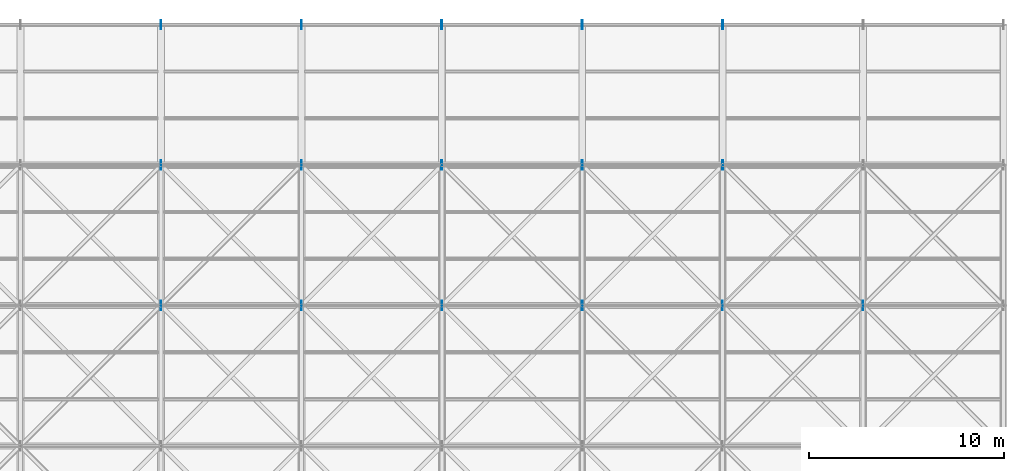
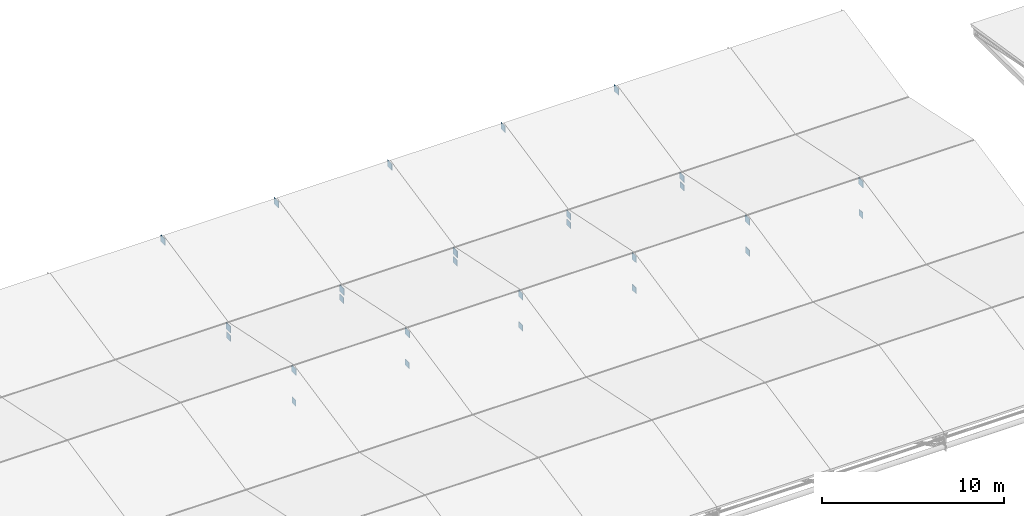
# One storey, part 70 of 72: 27 plates.
"""IFC4 building model written with IfcOpenShell, lengths in metres."""

from ifc_helpers import new_model, si_unit, direction, frame, origin, origin_2d, place, context, subcontext, project, spatial, rectangle, extrude, material, layer, layer_set, type_object, element, save


model = new_model("IFC4")

# Units and contexts
model_context = context("Model", 3, precision=1e-05, world=origin(), true_north=direction((0.0, 1.0)))
body_context = subcontext(model_context, "Body", "Model", "MODEL_VIEW")
ifc_project = project(units=[si_unit("LENGTHUNIT", "METRE"), si_unit("AREAUNIT", "SQUARE_METRE"), si_unit("VOLUMEUNIT", "CUBIC_METRE"), si_unit("PLANEANGLEUNIT", "RADIAN"), si_unit("MASSUNIT", "GRAM", prefix="KILO")], contexts=[model_context])

# Site, building, storey
site_placement = place(None, origin())
site = spatial("IfcSite", under=ifc_project, at=site_placement, CompositionType="ELEMENT")
building_placement = place(site_placement, origin())
building = spatial("IfcBuilding", under=site, at=building_placement, Name="Vaelcorin Mobility Hub", CompositionType="ELEMENT")
storey_placement = place(building_placement, frame((0.0, 0.0, 25.800048828125)))
storey = spatial("IfcBuildingStorey", under=building, at=storey_placement, Name="RF", CompositionType="ELEMENT", Elevation=25.800048828125)

# Plates
ifc_material = material(Name="Steel ASTM A572 Grade 50", Category="steel")
ifc_layer_1 = layer(ifc_material, 0.0380859375)
ifc_layer_set_1 = layer_set([ifc_layer_1], Name="Steel ASTM A572 Grade 50")
plate_type_1 = type_object("IfcPlateType", Name="PL-TN1", PredefinedType="USERDEFINED", material=ifc_layer_set_1)
for number, where, z_axis, x_axis, name in (
    (1, (72.0, 112.800048828125, -1.719970703125), (0.0, 0.0, 1.0), (1.0, 0.0, 0.0), "Sports Roof Truss Node TN1 5-4"),
    (2, (72.0, 120.0, -0.219970703125), (0.0, 0.0, 1.0), (1.0, 0.0, 0.0), "Sports Roof Truss Node TN1 5-5"),
    (3, (79.199951171875, 112.800048828125, -1.719970703125), (0.0, 0.0, 1.0), (1.0, 0.0, 0.0), "Sports Roof Truss Node TN1 6-4"),
    (4, (79.199951171875, 120.0, -0.219970703125), (0.0, 0.0, 1.0), (1.0, 0.0, 0.0), "Sports Roof Truss Node TN1 6-5"),
    (5, (86.39990234375, 112.800048828125, -1.719970703125), (0.0, 0.0, 1.0), (1.0, 0.0, 0.0), "Sports Roof Truss Node TN1 7-4"),
    (6, (86.39990234375, 120.0, -0.219970703125), (0.0, 0.0, 1.0), (1.0, 0.0, 0.0), "Sports Roof Truss Node TN1 7-5"),
    (7, (93.60009765625, 112.800048828125, -1.719970703125), (0.0, 0.0, 1.0), (1.0, 0.0, 0.0), "Sports Roof Truss Node TN1 8-4"),
    (8, (93.60009765625, 120.0, -0.219970703125), (0.0, 0.0, 1.0), (1.0, 0.0, 0.0), "Sports Roof Truss Node TN1 8-5"),
    (9, (100.800048828125, 112.800048828125, -1.719970703125), (0.0, 0.0, 1.0), (1.0, 0.0, 0.0), "Sports Roof Truss Node TN1 9-4"),
    (10, (100.800048828125, 120.0, -0.219970703125), (0.0, 0.0, 1.0), (1.0, 0.0, 0.0), "Sports Roof Truss Node TN1 9-5"),
):
    element("IfcPlate", number, at=place(storey_placement, frame(where, z_axis=z_axis, x_axis=x_axis)), inside=storey, type_object=plate_type_1, Name=name, ObjectType="GUSSET PLATE", PredefinedType="USERDEFINED", context=body_context, shape_type="SweptSolid", body=[
        extrude(rectangle(XDim=0.0380859375, YDim=0.47998046875, at=origin_2d()), origin(), (0.0, 0.0, 1.0), 0.43994140625),
    ])
ifc_layer_2 = layer(ifc_material, 0.030029296875)
ifc_layer_set_2 = layer_set([ifc_layer_2], Name="Steel ASTM A572 Grade 50")
plate_type_2 = type_object("IfcPlateType", Name="PL-TN2", PredefinedType="USERDEFINED", material=ifc_layer_set_2)
plate_1_placement = place(storey_placement, frame((72.0, 105.60009765625, -0.219970703125), z_axis=(0.0, 0.0, 1.0), x_axis=(1.0, 0.0, 0.0)))
element("IfcPlate", 11, at=plate_1_placement, inside=storey, type_object=plate_type_2, Name="Sports Roof Truss Node TN2 5-3", ObjectType="GUSSET PLATE", PredefinedType="USERDEFINED", context=body_context, shape_type="SweptSolid", body=[
    extrude(rectangle(XDim=0.030029296875, YDim=0.47998046875, at=origin_2d()), origin(), (0.0, 0.0, 1.0), 0.43994140625),
])
for number, where, z_axis, x_axis, name in (
    (12, (72.0, 105.60009765625, -2.300048828125), (0.0, 0.0, 1.0), (1.0, 0.0, 0.0), "Sports Roof Truss Bottom Node 5-3"),
    (13, (72.0, 112.800048828125, -2.300048828125), (0.0, 0.0, 1.0), (1.0, 0.0, 0.0), "Sports Roof Truss Bottom Node 5-4"),
):
    element("IfcPlate", number, at=place(storey_placement, frame(where, z_axis=z_axis, x_axis=x_axis)), inside=storey, type_object=plate_type_2, Name=name, ObjectType="GUSSET PLATE", PredefinedType="USERDEFINED", context=body_context, shape_type="SweptSolid", body=[
        extrude(rectangle(XDim=0.030029296875, YDim=0.43994140625, at=origin_2d()), origin(), (0.0, 0.0, 1.0), 0.39990234375),
    ])
plate_2_placement = place(storey_placement, frame((79.199951171875, 105.60009765625, -0.219970703125), z_axis=(0.0, 0.0, 1.0), x_axis=(1.0, 0.0, 0.0)))
element("IfcPlate", 14, at=plate_2_placement, inside=storey, type_object=plate_type_2, Name="Sports Roof Truss Node TN2 6-3", ObjectType="GUSSET PLATE", PredefinedType="USERDEFINED", context=body_context, shape_type="SweptSolid", body=[
    extrude(rectangle(XDim=0.030029296875, YDim=0.47998046875, at=origin_2d()), origin(), (0.0, 0.0, 1.0), 0.43994140625),
])
for number, where, z_axis, x_axis, name in (
    (15, (79.199951171875, 105.60009765625, -2.300048828125), (0.0, 0.0, 1.0), (1.0, 0.0, 0.0), "Sports Roof Truss Bottom Node 6-3"),
    (16, (79.199951171875, 112.800048828125, -2.300048828125), (0.0, 0.0, 1.0), (1.0, 0.0, 0.0), "Sports Roof Truss Bottom Node 6-4"),
):
    element("IfcPlate", number, at=place(storey_placement, frame(where, z_axis=z_axis, x_axis=x_axis)), inside=storey, type_object=plate_type_2, Name=name, ObjectType="GUSSET PLATE", PredefinedType="USERDEFINED", context=body_context, shape_type="SweptSolid", body=[
        extrude(rectangle(XDim=0.030029296875, YDim=0.43994140625, at=origin_2d()), origin(), (0.0, 0.0, 1.0), 0.39990234375),
    ])
plate_3_placement = place(storey_placement, frame((86.39990234375, 105.60009765625, -0.219970703125), z_axis=(0.0, 0.0, 1.0), x_axis=(1.0, 0.0, 0.0)))
element("IfcPlate", 17, at=plate_3_placement, inside=storey, type_object=plate_type_2, Name="Sports Roof Truss Node TN2 7-3", ObjectType="GUSSET PLATE", PredefinedType="USERDEFINED", context=body_context, shape_type="SweptSolid", body=[
    extrude(rectangle(XDim=0.030029296875, YDim=0.47998046875, at=origin_2d()), origin(), (0.0, 0.0, 1.0), 0.43994140625),
])
for number, where, z_axis, x_axis, name in (
    (18, (86.39990234375, 105.60009765625, -2.300048828125), (0.0, 0.0, 1.0), (1.0, 0.0, 0.0), "Sports Roof Truss Bottom Node 7-3"),
    (19, (86.39990234375, 112.800048828125, -2.300048828125), (0.0, 0.0, 1.0), (1.0, 0.0, 0.0), "Sports Roof Truss Bottom Node 7-4"),
):
    element("IfcPlate", number, at=place(storey_placement, frame(where, z_axis=z_axis, x_axis=x_axis)), inside=storey, type_object=plate_type_2, Name=name, ObjectType="GUSSET PLATE", PredefinedType="USERDEFINED", context=body_context, shape_type="SweptSolid", body=[
        extrude(rectangle(XDim=0.030029296875, YDim=0.43994140625, at=origin_2d()), origin(), (0.0, 0.0, 1.0), 0.39990234375),
    ])
plate_4_placement = place(storey_placement, frame((93.60009765625, 105.60009765625, -0.219970703125), z_axis=(0.0, 0.0, 1.0), x_axis=(1.0, 0.0, 0.0)))
element("IfcPlate", 20, at=plate_4_placement, inside=storey, type_object=plate_type_2, Name="Sports Roof Truss Node TN2 8-3", ObjectType="GUSSET PLATE", PredefinedType="USERDEFINED", context=body_context, shape_type="SweptSolid", body=[
    extrude(rectangle(XDim=0.030029296875, YDim=0.47998046875, at=origin_2d()), origin(), (0.0, 0.0, 1.0), 0.43994140625),
])
for number, where, z_axis, x_axis, name in (
    (21, (93.60009765625, 105.60009765625, -2.300048828125), (0.0, 0.0, 1.0), (1.0, 0.0, 0.0), "Sports Roof Truss Bottom Node 8-3"),
    (22, (93.60009765625, 112.800048828125, -2.300048828125), (0.0, 0.0, 1.0), (1.0, 0.0, 0.0), "Sports Roof Truss Bottom Node 8-4"),
):
    element("IfcPlate", number, at=place(storey_placement, frame(where, z_axis=z_axis, x_axis=x_axis)), inside=storey, type_object=plate_type_2, Name=name, ObjectType="GUSSET PLATE", PredefinedType="USERDEFINED", context=body_context, shape_type="SweptSolid", body=[
        extrude(rectangle(XDim=0.030029296875, YDim=0.43994140625, at=origin_2d()), origin(), (0.0, 0.0, 1.0), 0.39990234375),
    ])
plate_5_placement = place(storey_placement, frame((100.800048828125, 105.60009765625, -0.219970703125), z_axis=(0.0, 0.0, 1.0), x_axis=(1.0, 0.0, 0.0)))
element("IfcPlate", 23, at=plate_5_placement, inside=storey, type_object=plate_type_2, Name="Sports Roof Truss Node TN2 9-3", ObjectType="GUSSET PLATE", PredefinedType="USERDEFINED", context=body_context, shape_type="SweptSolid", body=[
    extrude(rectangle(XDim=0.030029296875, YDim=0.47998046875, at=origin_2d()), origin(), (0.0, 0.0, 1.0), 0.43994140625),
])
for number, where, z_axis, x_axis, name in (
    (24, (100.800048828125, 105.60009765625, -2.300048828125), (0.0, 0.0, 1.0), (1.0, 0.0, 0.0), "Sports Roof Truss Bottom Node 9-3"),
    (25, (100.800048828125, 112.800048828125, -2.300048828125), (0.0, 0.0, 1.0), (1.0, 0.0, 0.0), "Sports Roof Truss Bottom Node 9-4"),
):
    element("IfcPlate", number, at=place(storey_placement, frame(where, z_axis=z_axis, x_axis=x_axis)), inside=storey, type_object=plate_type_2, Name=name, ObjectType="GUSSET PLATE", PredefinedType="USERDEFINED", context=body_context, shape_type="SweptSolid", body=[
        extrude(rectangle(XDim=0.030029296875, YDim=0.43994140625, at=origin_2d()), origin(), (0.0, 0.0, 1.0), 0.39990234375),
    ])
plate_6_placement = place(storey_placement, frame((108.0, 105.60009765625, -0.219970703125), z_axis=(0.0, 0.0, 1.0), x_axis=(1.0, 0.0, 0.0)))
element("IfcPlate", 26, at=plate_6_placement, inside=storey, type_object=plate_type_2, Name="Sports Roof Truss Node TN2 10-3", ObjectType="GUSSET PLATE", PredefinedType="USERDEFINED", context=body_context, shape_type="SweptSolid", body=[
    extrude(rectangle(XDim=0.030029296875, YDim=0.47998046875, at=origin_2d()), origin(), (0.0, 0.0, 1.0), 0.43994140625),
])
plate_7_placement = place(storey_placement, frame((108.0, 105.60009765625, -2.300048828125), z_axis=(0.0, 0.0, 1.0), x_axis=(1.0, 0.0, 0.0)))
element("IfcPlate", 27, at=plate_7_placement, inside=storey, type_object=plate_type_2, Name="Sports Roof Truss Bottom Node 10-3", ObjectType="GUSSET PLATE", PredefinedType="USERDEFINED", context=body_context, shape_type="SweptSolid", body=[
    extrude(rectangle(XDim=0.030029296875, YDim=0.43994140625, at=origin_2d()), origin(), (0.0, 0.0, 1.0), 0.39990234375),
])

save(model, "model.ifc")
